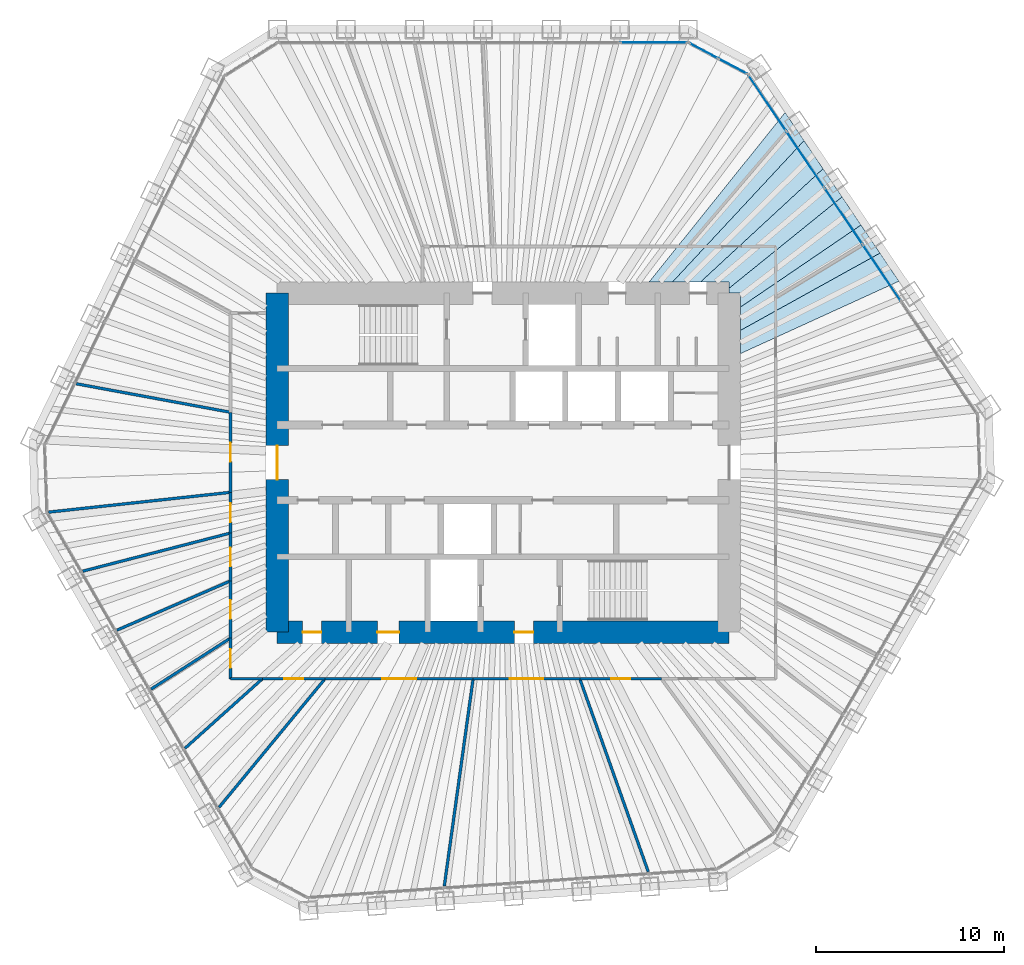
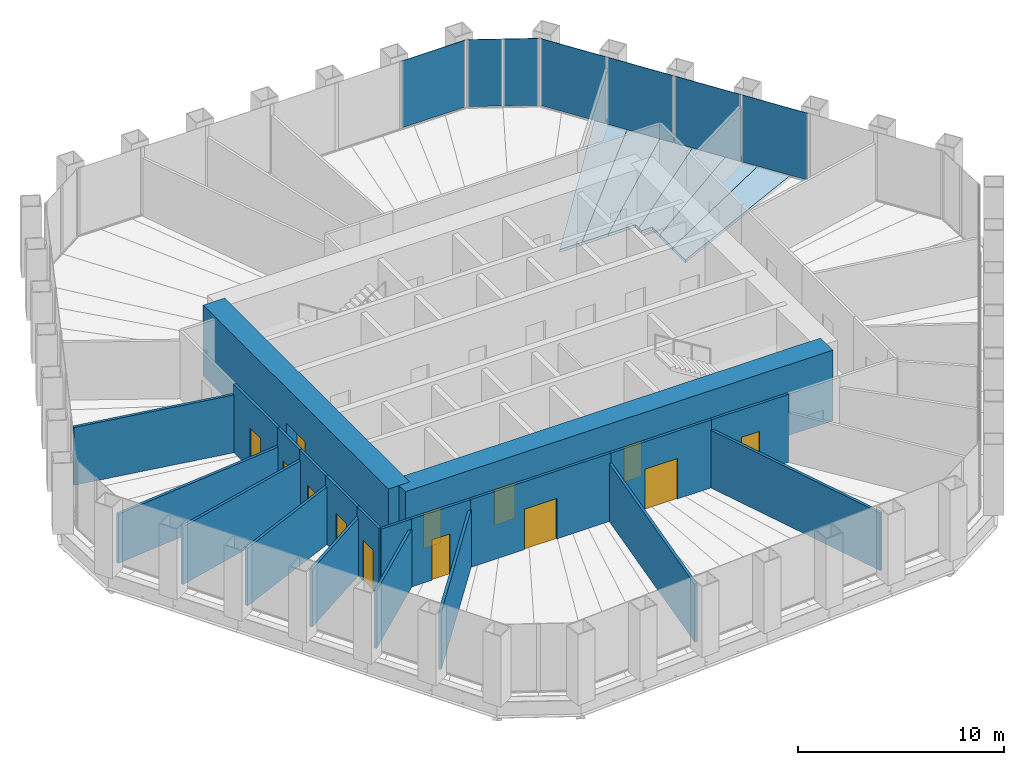
# One storey, part 10 of 14: 21 walls, 13 doors, 7 plates, 6 slabs, 13 openings, 3 elements without a shape of their own.
"""IFC4 building model written with IfcOpenShell, lengths in metres."""

from ifc_helpers import new_model, si_unit, direction, frame, frame_2d, origin, origin_2d, place, context, subcontext, project, spatial, polyline, rectangle, outline, extrude, material, layer, layer_set, type_object, element, fill, aggregate, save


model = new_model("IFC4")

# Units and contexts
model_context = context("Model", 3, precision=1e-05, world=origin(), true_north=direction((0.0, 1.0)))
body_context = subcontext(model_context, "Body", "Model", "MODEL_VIEW")
ifc_project = project(units=[si_unit("LENGTHUNIT", "METRE"), si_unit("AREAUNIT", "SQUARE_METRE"), si_unit("VOLUMEUNIT", "CUBIC_METRE"), si_unit("PLANEANGLEUNIT", "RADIAN"), si_unit("MASSUNIT", "GRAM", prefix="KILO")], contexts=[model_context])

# Site, building, storey
site_placement = place(None, origin())
site = spatial("IfcSite", under=ifc_project, at=site_placement, CompositionType="ELEMENT")
building_placement = place(site_placement, origin())
building = spatial("IfcBuilding", under=site, at=building_placement, Name="Qingtian Harvest Tower", CompositionType="ELEMENT")
storey_placement = place(building_placement, frame((0.0, 0.0, 239.199951171875)))
storey = spatial("IfcBuildingStorey", under=building, at=storey_placement, Name="L52", CompositionType="ELEMENT", Elevation=239.199951171875)

# Slabs
ifc_material_1 = material(Name="Concrete fc' 35 MPa", Category="concrete")
ifc_layer_1 = layer(ifc_material_1, 0.169921875)
ifc_layer_set_1 = layer_set([ifc_layer_1], Name="Composite floor slab FS17 170")
slab_type = type_object("IfcSlabType", Name="Composite floor slab FS17 170", PredefinedType="FLOOR", material=ifc_layer_set_1)
slab_1_placement = place(storey_placement, frame((0.0, 0.0, -0.169921875)))
element("IfcSlab", 1, at=slab_1_placement, inside=storey, type_object=slab_type, Name="Floor slab L52 panel D45", PredefinedType="FLOOR", context=body_context, shape_type="SweptSolid", body=[
    extrude(outline(polyline([(12.60009765625, 7.023681640625), (20.003662109375, 11.125244140625), (21.010986328125, 9.6318359375), (12.60009765625, 5.7900390625), (12.60009765625, 7.023681640625)])), origin(), (0.0, 0.0, 1.0), 0.169921875),
])
slab_2_placement = place(storey_placement, frame((0.0, 0.0, -0.169921875)))
element("IfcSlab", 2, at=slab_2_placement, inside=storey, type_object=slab_type, Name="Floor slab L52 panel D46", PredefinedType="FLOOR", context=body_context, shape_type="SweptSolid", body=[
    extrude(outline(polyline([(12.60009765625, 8.260498046875), (18.997802734375, 12.61669921875), (20.003662109375, 11.125244140625), (12.60009765625, 7.023681640625), (12.60009765625, 8.260498046875)])), origin(), (0.0, 0.0, 1.0), 0.169921875),
])
slab_3_placement = place(storey_placement, frame((0.0, 0.0, -0.169921875)))
element("IfcSlab", 3, at=slab_3_placement, inside=storey, type_object=slab_type, Name="Floor slab L52 panel D47", PredefinedType="FLOOR", context=body_context, shape_type="SweptSolid", body=[
    extrude(outline(polyline([(12.60009765625, 9.0), (12.0, 9.0), (12.0, 9.2666015625), (17.99072265625, 14.109375), (18.997802734375, 12.61669921875), (12.60009765625, 8.260498046875), (12.60009765625, 9.0)])), origin(), (0.0, 0.0, 1.0), 0.169921875),
])
slab_4_placement = place(storey_placement, frame((0.0, 0.0, -0.169921875)))
element("IfcSlab", 4, at=slab_4_placement, inside=storey, type_object=slab_type, Name="Floor slab L52 panel D48", PredefinedType="FLOOR", context=body_context, shape_type="SweptSolid", body=[
    extrude(outline(polyline([(12.0, 9.60009765625), (10.48583984375, 9.60009765625), (16.982177734375, 15.604736328125), (17.99072265625, 14.109375), (12.0, 9.2666015625), (12.0, 9.60009765625)])), origin(), (0.0, 0.0, 1.0), 0.169921875),
])
slab_5_placement = place(storey_placement, frame((0.0, 0.0, -0.169921875)))
element("IfcSlab", 5, at=slab_5_placement, inside=storey, type_object=slab_type, Name="Floor slab L52 panel D49", PredefinedType="FLOOR", context=body_context, shape_type="SweptSolid", body=[
    extrude(outline(polyline([(8.998291015625, 9.60009765625), (15.974853515625, 17.098388671875), (16.982177734375, 15.604736328125), (10.48583984375, 9.60009765625), (8.998291015625, 9.60009765625)])), origin(), (0.0, 0.0, 1.0), 0.169921875),
])
slab_6_placement = place(storey_placement, frame((0.0, 0.0, -0.169921875)))
element("IfcSlab", 6, at=slab_6_placement, inside=storey, type_object=slab_type, Name="Floor slab L52 panel D50", PredefinedType="FLOOR", context=body_context, shape_type="SweptSolid", body=[
    extrude(outline(polyline([(7.751220703125, 9.60009765625), (14.967529296875, 18.591796875), (15.974853515625, 17.098388671875), (8.998291015625, 9.60009765625), (7.751220703125, 9.60009765625)])), origin(), (0.0, 0.0, 1.0), 0.169921875),
])

# Curtain wall, plate
ifc_material_2 = material(Name="Bronze-anodised aluminium curtain wall", Category="aluminium")
curtain_wall_type = type_object("IfcCurtainWallType", Name="Curtain wall CW4 office", PredefinedType="USERDEFINED", material=ifc_material_2)
curtain_wall_1_placement = place(storey_placement, origin())
curtain_wall_1 = element("IfcCurtainWall", 7, at=curtain_wall_1_placement, inside=storey, type_object=curtain_wall_type, Name="Curtain wall CW4 L52 N0-5", ObjectType="RECESSED CURTAIN WALL", PredefinedType="USERDEFINED")
ifc_material_3 = material(Name="Bronze-tinted laminated insulating glass", Category="glass")
ifc_layer_2 = layer(ifc_material_3, 0.030029296875)
ifc_layer_set_2 = layer_set([ifc_layer_2], Name="Glazed panel CWP tinted IGU")
plate_type = type_object("IfcPlateType", Name="Glazed panel CWP tinted IGU", PredefinedType="CURTAIN_PANEL", material=ifc_layer_set_2)
plate_1_placement = place(storey_placement, frame((7.996337890625, 22.300048828125, 0.06494140625), z_axis=(0.0, 0.0, 1.0), x_axis=(1.0, 0.0, 0.0)))
plate_1 = element("IfcPlate", 8, at=plate_1_placement, type_object=plate_type, Name="CW4 panel 6.1", PredefinedType="CURTAIN_PANEL", context=body_context, shape_type="SweptSolid", body=[
    extrude(rectangle(XDim=3.5361328125, YDim=0.030029296875, at=origin_2d()), origin(), (0.0, 0.0, 1.0), 3.965087890625),
])
aggregate(curtain_wall_1, [plate_1])

# Curtain wall, plates
curtain_wall_2_placement = place(storey_placement, origin())
curtain_wall_2 = element("IfcCurtainWall", 9, at=curtain_wall_2_placement, inside=storey, type_object=curtain_wall_type, Name="Curtain wall CW4 L52 NC", ObjectType="RECESSED CURTAIN WALL", PredefinedType="USERDEFINED")
plate_2_placement = place(storey_placement, frame((10.634033203125, 21.8720703125, 0.06494140625), z_axis=(0.0, 0.0, 1.0), x_axis=(0.882947592859, -0.469471562786, 0.0)))
plate_2 = element("IfcPlate", 10, at=plate_2_placement, type_object=plate_type, Name="CW4 panel 1.1", PredefinedType="CURTAIN_PANEL", context=body_context, shape_type="SweptSolid", body=[
    extrude(rectangle(XDim=1.69287109375, YDim=0.030029296875, at=origin_2d()), origin(), (0.0, 0.0, 1.0), 3.965087890625),
])
plate_3_placement = place(storey_placement, frame((12.186279296875, 21.046875, 0.06494140625), z_axis=(0.0, 0.0, 1.0), x_axis=(0.882947592859, -0.469471562786, 0.0)))
plate_3 = element("IfcPlate", 11, at=plate_3_placement, type_object=plate_type, Name="CW4 panel 2.1", PredefinedType="CURTAIN_PANEL", context=body_context, shape_type="SweptSolid", body=[
    extrude(rectangle(XDim=1.69287109375, YDim=0.030029296875, at=origin_2d()), origin(), (0.0, 0.0, 1.0), 3.965087890625),
])
aggregate(curtain_wall_2, [plate_2, plate_3])

curtain_wall_3_placement = place(storey_placement, origin())
curtain_wall_3 = element("IfcCurtainWall", 12, at=curtain_wall_3_placement, inside=storey, type_object=curtain_wall_type, Name="Curtain wall CW4 L52 NE0-5", ObjectType="RECESSED CURTAIN WALL", PredefinedType="USERDEFINED")
plate_4_placement = place(storey_placement, frame((14.01611328125, 19.09912109375, 0.06494140625), z_axis=(0.0, 0.0, 1.0), x_axis=(0.559192903471, -0.829037572555, 0.0)))
plate_4 = element("IfcPlate", 13, at=plate_4_placement, type_object=plate_type, Name="CW4 panel 1.1", PredefinedType="CURTAIN_PANEL", context=body_context, shape_type="SweptSolid", body=[
    extrude(rectangle(XDim=3.5361328125, YDim=0.030029296875, at=origin_2d()), origin(), (0.0, 0.0, 1.0), 3.965087890625),
])
plate_5_placement = place(storey_placement, frame((16.038818359375, 16.100341796875, 0.06494140625), z_axis=(0.0, 0.0, 1.0), x_axis=(0.559192903471, -0.829037572555, 0.0)))
plate_5 = element("IfcPlate", 14, at=plate_5_placement, type_object=plate_type, Name="CW4 panel 2.1", PredefinedType="CURTAIN_PANEL", context=body_context, shape_type="SweptSolid", body=[
    extrude(rectangle(XDim=3.568603515625, YDim=0.030029296875, at=origin_2d()), origin(), (0.0, 0.0, 1.0), 3.965087890625),
])
plate_6_placement = place(storey_placement, frame((18.07080078125, 13.087890625, 0.06494140625), z_axis=(0.0, 0.0, 1.0), x_axis=(0.559192903471, -0.829037572555, 0.0)))
plate_6 = element("IfcPlate", 15, at=plate_6_placement, type_object=plate_type, Name="CW4 panel 3.1", PredefinedType="CURTAIN_PANEL", context=body_context, shape_type="SweptSolid", body=[
    extrude(rectangle(XDim=3.568603515625, YDim=0.030029296875, at=origin_2d()), origin(), (0.0, 0.0, 1.0), 3.965087890625),
])
plate_7_placement = place(storey_placement, frame((20.1025390625, 10.07568359375, 0.06494140625), z_axis=(0.0, 0.0, 1.0), x_axis=(0.559192903471, -0.829037572555, 0.0)))
plate_7 = element("IfcPlate", 16, at=plate_7_placement, type_object=plate_type, Name="CW4 panel 4.1", PredefinedType="CURTAIN_PANEL", context=body_context, shape_type="SweptSolid", body=[
    extrude(rectangle(XDim=3.568603515625, YDim=0.030029296875, at=origin_2d()), origin(), (0.0, 0.0, 1.0), 3.965087890625),
])
aggregate(curtain_wall_3, [plate_4, plate_5, plate_6, plate_7])

# Wall, openings, doors
ifc_material_4 = material(Name="Concrete fc' 70 MPa", Category="concrete")
ifc_layer_3 = layer(ifc_material_4, 1.199951171875)
ifc_layer_set_3 = layer_set([ifc_layer_3], Name="Core wall RC2 1200")
wall_type_1 = type_object("IfcWallType", Name="Core wall RC2 1200", PredefinedType="SHEAR", material=ifc_layer_set_3)
wall_1_placement = place(storey_placement, frame((-12.0, -9.0, 0.0), z_axis=(0.0, 0.0, 1.0), x_axis=(1.0, 0.0, 0.0)))
wall_1 = element("IfcWall", 17, at=wall_1_placement, inside=storey, type_object=wall_type_1, Name="Core wall CS L52", PredefinedType="SHEAR", context=body_context, shape_type="SweptSolid", body=[
    extrude(rectangle(XDim=24.0, YDim=1.199951171875, at=frame_2d((12.0, 0.0))), origin(), (0.0, 0.0, 1.0), 4.199951171875),
])
opening_1_placement = place(wall_1_placement, frame((1.35009765625, 0.0, 0.0)))
opening_1 = element("IfcOpeningElement", 18, at=opening_1_placement, cuts=wall_1, Name="Opening FD1", PredefinedType="OPENING", context=body_context, shape_type="SweptSolid", body=[
    extrude(rectangle(XDim=1.0, YDim=2.10009765625, at=frame_2d((0.5, 1.050048828125))), frame((0.0, 0.60986328125, 0.0), z_axis=(0.0, -1.0, 0.0), x_axis=(1.0, 0.0, 0.0)), (0.0, 0.0, 1.0), 1.219970703125),
])
opening_2_placement = place(wall_1_placement, frame((5.324951171875, 0.0, 0.0)))
opening_2 = element("IfcOpeningElement", 19, at=opening_2_placement, cuts=wall_1, Name="Opening AD1", PredefinedType="OPENING", context=body_context, shape_type="SweptSolid", body=[
    extrude(rectangle(XDim=1.14990234375, YDim=2.10009765625, at=frame_2d((0.574951171875, 1.050048828125))), frame((0.0, 0.60986328125, 0.0), z_axis=(0.0, -1.0, 0.0), x_axis=(1.0, 0.0, 0.0)), (0.0, 0.0, 1.0), 1.219970703125),
])
opening_3_placement = place(wall_1_placement, frame((12.60009765625, 0.0, 0.0)))
opening_3 = element("IfcOpeningElement", 20, at=opening_3_placement, cuts=wall_1, Name="Opening FD1", PredefinedType="OPENING", context=body_context, shape_type="SweptSolid", body=[
    extrude(rectangle(XDim=1.0, YDim=2.10009765625, at=frame_2d((0.5, 1.050048828125))), frame((0.0, 0.60986328125, 0.0), z_axis=(0.0, -1.0, 0.0), x_axis=(1.0, 0.0, 0.0)), (0.0, 0.0, 1.0), 1.219970703125),
])
ifc_material_5 = material(Name="Laminated timber door leaf", Category="wood")
door_type_1 = type_object("IfcDoorType", Name="Accessible WC door AD1 single", OperationType="SINGLE_SWING_LEFT", PredefinedType="DOOR", material=ifc_material_5)
door_1_placement = place(opening_2_placement, origin())
door_1 = element("IfcDoor", 21, at=door_1_placement, inside=storey, type_object=door_type_1, Name="AWC door L52", OperationType="SINGLE_SWING_LEFT", OverallHeight=2.10009765625, OverallWidth=1.14990234375, PredefinedType="DOOR", context=body_context, shape_type="SweptSolid", body=[
    extrude(rectangle(XDim=1.14990234375, YDim=2.10009765625, at=frame_2d((0.574951171875, 1.050048828125))), frame((0.0, 0.02490234375, 0.0), z_axis=(0.0, -1.0, 0.0), x_axis=(1.0, 0.0, 0.0)), (0.0, 0.0, 1.0), 0.050048828125),
])
fill(opening_2, door_1)
ifc_material_6 = material(Name="Steel-faced door leaf", Category="steel")
door_type_2 = type_object("IfcDoorType", Name="Fire door FD1 single 1 HR", OperationType="SINGLE_SWING_LEFT", PredefinedType="DOOR", material=ifc_material_6)
door_2_placement = place(opening_1_placement, origin())
door_2 = element("IfcDoor", 22, at=door_2_placement, inside=storey, type_object=door_type_2, Name="CLN door L52", OperationType="SINGLE_SWING_LEFT", OverallHeight=2.10009765625, OverallWidth=1.0, PredefinedType="DOOR", context=body_context, shape_type="SweptSolid", body=[
    extrude(rectangle(XDim=1.0, YDim=2.10009765625, at=frame_2d((0.5, 1.050048828125))), frame((0.0, 0.02490234375, 0.0), z_axis=(0.0, -1.0, 0.0), x_axis=(1.0, 0.0, 0.0)), (0.0, 0.0, 1.0), 0.050048828125),
])
fill(opening_1, door_2)
door_3_placement = place(opening_3_placement, origin())
door_3 = element("IfcDoor", 23, at=door_3_placement, inside=storey, type_object=door_type_2, Name="V2 door L52", OperationType="SINGLE_SWING_RIGHT", OverallHeight=2.10009765625, OverallWidth=1.0, PredefinedType="DOOR", context=body_context, shape_type="SweptSolid", body=[
    extrude(rectangle(XDim=1.0, YDim=2.10009765625, at=frame_2d((0.5, 1.050048828125))), frame((0.0, 0.02490234375, 0.0), z_axis=(0.0, -1.0, 0.0), x_axis=(1.0, 0.0, 0.0)), (0.0, 0.0, 1.0), 0.050048828125),
])
fill(opening_3, door_3)

# Wall, opening, door
wall_2_placement = place(storey_placement, frame((-12.0, -9.0, 0.0), z_axis=(0.0, 0.0, 1.0), x_axis=(0.0, 1.0, 0.0)))
wall_2 = element("IfcWall", 24, at=wall_2_placement, inside=storey, type_object=wall_type_1, Name="Core wall CW L52", PredefinedType="SHEAR", context=body_context, shape_type="SweptSolid", body=[
    extrude(rectangle(XDim=18.0, YDim=1.199951171875, at=frame_2d((9.0, 0.0))), origin(), (0.0, 0.0, 1.0), 4.199951171875),
])
opening_4_placement = place(wall_2_placement, frame((8.10009765625, 0.0, 0.0)))
opening_4 = element("IfcOpeningElement", 25, at=opening_4_placement, cuts=wall_2, Name="Opening FD2", PredefinedType="OPENING", context=body_context, shape_type="SweptSolid", body=[
    extrude(rectangle(XDim=1.800048828125, YDim=2.10009765625, at=frame_2d((0.89990234375, 1.050048828125))), frame((0.0, 0.60986328125, 0.0), z_axis=(0.0, -1.0, 0.0), x_axis=(1.0, 0.0, 0.0)), (0.0, 0.0, 1.0), 1.219970703125),
])
ifc_material_7 = material(Name="Steel-faced door leaf", Category="steel")
door_type_3 = type_object("IfcDoorType", Name="Fire door FD2 double 1 HR", OperationType="DOUBLE_DOOR_DOUBLE_SWING", PredefinedType="DOOR", material=ifc_material_7)
door_4_placement = place(opening_4_placement, origin())
door_4 = element("IfcDoor", 26, at=door_4_placement, inside=storey, type_object=door_type_3, Name="LOBBY-W door L52", OperationType="DOUBLE_DOOR_DOUBLE_SWING", OverallHeight=2.10009765625, OverallWidth=1.800048828125, PredefinedType="DOOR", context=body_context, shape_type="SweptSolid", body=[
    extrude(rectangle(XDim=1.800048828125, YDim=2.10009765625, at=frame_2d((0.89990234375, 1.050048828125))), frame((0.0, 0.02490234375, 0.0), z_axis=(0.0, -1.0, 0.0), x_axis=(1.0, 0.0, 0.0)), (0.0, 0.0, 1.0), 0.050048828125),
])
fill(opening_4, door_4)

# Wall
ifc_material_8 = material(Name="Gypsum board on steel studs", Category="steel")
ifc_layer_4 = layer(ifc_material_8, 0.14990234375)
ifc_layer_set_4 = layer_set([ifc_layer_4], Name="Partition PT1 150")
wall_type_2 = type_object("IfcWallType", Name="Partition PT1 150", PredefinedType="PARTITIONING", material=ifc_layer_set_4)
wall_3_placement = place(storey_placement, frame((-15.07958984375, -18.294189453125, 0.0), z_axis=(0.0, 0.0, 1.0), x_axis=(0.636052894953, 0.771645459277, 0.0)))
element("IfcWall", 27, at=wall_3_placement, inside=storey, type_object=wall_type_2, Name="Private office wall L52", PredefinedType="PARTITIONING", context=body_context, shape_type="SweptSolid", body=[
    extrude(rectangle(XDim=8.837158203125, YDim=0.14990234375, at=frame_2d((4.41845703125, 0.0))), origin(), (0.0, 0.0, 1.0), 3.429931640625),
])

# Wall, opening, door
wall_4_placement = place(storey_placement, frame((-9.458740234375, -11.47509765625, 0.0), z_axis=(0.0, 0.0, 1.0), x_axis=(-1.0, 0.0, 0.0)))
wall_4 = element("IfcWall", 28, at=wall_4_placement, inside=storey, type_object=wall_type_2, Name="Private office wall L52", PredefinedType="PARTITIONING", context=body_context, shape_type="SweptSolid", body=[
    extrude(rectangle(XDim=3.32421875, YDim=0.14990234375, at=frame_2d((1.662109375, 0.0))), origin(), (0.0, 0.0, 1.0), 4.030029296875),
])
opening_5_placement = place(wall_4_placement, frame((1.162109375, 0.0, 0.0)))
opening_5 = element("IfcOpeningElement", 29, at=opening_5_placement, cuts=wall_4, Name="Opening D2", PredefinedType="OPENING", context=body_context, shape_type="SweptSolid", body=[
    extrude(rectangle(XDim=1.0, YDim=2.39990234375, at=frame_2d((0.5, 1.199951171875))), frame((0.0, 0.0849609375, 0.0), z_axis=(0.0, -1.0, 0.0), x_axis=(1.0, 0.0, 0.0)), (0.0, 0.0, 1.0), 0.169921875),
])
ifc_material_9 = material(Name="Laminated timber door leaf", Category="wood")
door_type_4 = type_object("IfcDoorType", Name="Room door D2 single", OperationType="SINGLE_SWING_LEFT", PredefinedType="DOOR", material=ifc_material_9)
door_5_placement = place(opening_5_placement, origin())
door_5 = element("IfcDoor", 30, at=door_5_placement, inside=storey, type_object=door_type_4, Name="Private office door L52", OperationType="SINGLE_SWING_LEFT", OverallHeight=2.39990234375, OverallWidth=1.0, PredefinedType="DOOR", context=body_context, shape_type="SweptSolid", body=[
    extrude(rectangle(XDim=1.0, YDim=2.39990234375, at=frame_2d((0.5, 1.199951171875))), frame((0.0, 0.02490234375, 0.0), z_axis=(0.0, -1.0, 0.0), x_axis=(1.0, 0.0, 0.0)), (0.0, 0.0, 1.0), 0.050048828125),
])
fill(opening_5, door_5)

# Walls
wall_5_placement = place(storey_placement, frame((-16.885498046875, -15.15771484375, 0.0), z_axis=(0.0, 0.0, 1.0), x_axis=(0.744165513773, 0.667995275515, 0.0)))
element("IfcWall", 31, at=wall_5_placement, inside=storey, type_object=wall_type_2, Name="Private office wall L52", PredefinedType="PARTITIONING", context=body_context, shape_type="SweptSolid", body=[
    extrude(rectangle(XDim=5.512939453125, YDim=0.14990234375, at=frame_2d((2.75634765625, 0.0))), origin(), (0.0, 0.0, 1.0), 3.429931640625),
])
wall_6_placement = place(storey_placement, frame((-12.782958984375, -11.47509765625, 0.0), z_axis=(0.0, 0.0, 1.0), x_axis=(-1.0, 0.0, 0.0)))
element("IfcWall", 32, at=wall_6_placement, inside=storey, type_object=wall_type_2, Name="Private office wall L52", PredefinedType="PARTITIONING", context=body_context, shape_type="SweptSolid", body=[
    extrude(rectangle(XDim=1.692138671875, YDim=0.14990234375, at=frame_2d((0.84619140625, 0.0))), origin(), (0.0, 0.0, 1.0), 4.030029296875),
])

# Wall, opening, door
wall_7_placement = place(storey_placement, frame((-14.47509765625, -11.47509765625, 0.0), z_axis=(0.0, 0.0, 1.0), x_axis=(0.0, 1.0, 0.0)))
wall_7 = element("IfcWall", 33, at=wall_7_placement, inside=storey, type_object=wall_type_2, Name="Private office wall L52", PredefinedType="PARTITIONING", context=body_context, shape_type="SweptSolid", body=[
    extrude(rectangle(XDim=2.164306640625, YDim=0.14990234375, at=frame_2d((1.08203125, 0.0))), origin(), (0.0, 0.0, 1.0), 4.030029296875),
])
opening_6_placement = place(wall_7_placement, frame((0.58203125, 0.0, 0.0)))
opening_6 = element("IfcOpeningElement", 34, at=opening_6_placement, cuts=wall_7, Name="Opening D2", PredefinedType="OPENING", context=body_context, shape_type="SweptSolid", body=[
    extrude(rectangle(XDim=1.0, YDim=2.39990234375, at=frame_2d((0.5, 1.199951171875))), frame((0.0, 0.0849609375, 0.0), z_axis=(0.0, -1.0, 0.0), x_axis=(1.0, 0.0, 0.0)), (0.0, 0.0, 1.0), 0.169921875),
])
door_6_placement = place(opening_6_placement, origin())
door_6 = element("IfcDoor", 35, at=door_6_placement, inside=storey, type_object=door_type_4, Name="Private office door L52", OperationType="SINGLE_SWING_RIGHT", OverallHeight=2.39990234375, OverallWidth=1.0, PredefinedType="DOOR", context=body_context, shape_type="SweptSolid", body=[
    extrude(rectangle(XDim=1.0, YDim=2.39990234375, at=frame_2d((0.5, 1.199951171875))), frame((0.0, 0.02490234375, 0.0), z_axis=(0.0, -1.0, 0.0), x_axis=(1.0, 0.0, 0.0)), (0.0, 0.0, 1.0), 0.050048828125),
])
fill(opening_6, door_6)

# Wall
wall_8_placement = place(storey_placement, frame((-18.692626953125, -12.023681640625, 0.0), z_axis=(0.0, 0.0, 1.0), x_axis=(0.841031335058, 0.540986407824, 0.0)))
element("IfcWall", 36, at=wall_8_placement, inside=storey, type_object=wall_type_2, Name="Private office wall L52", PredefinedType="PARTITIONING", context=body_context, shape_type="SweptSolid", body=[
    extrude(rectangle(XDim=5.0146484375, YDim=0.14990234375, at=frame_2d((2.50732421875, 0.0))), origin(), (0.0, 0.0, 1.0), 3.429931640625),
])

# Wall, opening, door
wall_9_placement = place(storey_placement, frame((-14.47509765625, -9.310791015625, 0.0), z_axis=(0.0, 0.0, 1.0), x_axis=(0.0, 1.0, 0.0)))
wall_9 = element("IfcWall", 37, at=wall_9_placement, inside=storey, type_object=wall_type_2, Name="Private office wall L52", PredefinedType="PARTITIONING", context=body_context, shape_type="SweptSolid", body=[
    extrude(rectangle(XDim=3.033203125, YDim=0.14990234375, at=frame_2d((1.5166015625, 0.0))), origin(), (0.0, 0.0, 1.0), 4.030029296875),
])
opening_7_placement = place(wall_9_placement, frame((1.0166015625, 0.0, 0.0)))
opening_7 = element("IfcOpeningElement", 38, at=opening_7_placement, cuts=wall_9, Name="Opening D2", PredefinedType="OPENING", context=body_context, shape_type="SweptSolid", body=[
    extrude(rectangle(XDim=1.0, YDim=2.39990234375, at=frame_2d((0.5, 1.199951171875))), frame((0.0, 0.0849609375, 0.0), z_axis=(0.0, -1.0, 0.0), x_axis=(1.0, 0.0, 0.0)), (0.0, 0.0, 1.0), 0.169921875),
])
door_7_placement = place(opening_7_placement, origin())
door_7 = element("IfcDoor", 39, at=door_7_placement, inside=storey, type_object=door_type_4, Name="Private office door L52", OperationType="SINGLE_SWING_RIGHT", OverallHeight=2.39990234375, OverallWidth=1.0, PredefinedType="DOOR", context=body_context, shape_type="SweptSolid", body=[
    extrude(rectangle(XDim=1.0, YDim=2.39990234375, at=frame_2d((0.5, 1.199951171875))), frame((0.0, 0.02490234375, 0.0), z_axis=(0.0, -1.0, 0.0), x_axis=(1.0, 0.0, 0.0)), (0.0, 0.0, 1.0), 0.050048828125),
])
fill(opening_7, door_7)

# Wall
wall_10_placement = place(storey_placement, frame((-20.501708984375, -8.891357421875, 0.0), z_axis=(0.0, 0.0, 1.0), x_axis=(0.917431289744, 0.397894242982, 0.0)))
element("IfcWall", 40, at=wall_10_placement, inside=storey, type_object=wall_type_2, Name="Private office wall L52", PredefinedType="PARTITIONING", context=body_context, shape_type="SweptSolid", body=[
    extrude(rectangle(XDim=6.569091796875, YDim=0.14990234375, at=frame_2d((3.28466796875, 0.0))), origin(), (0.0, 0.0, 1.0), 3.429931640625),
])

# Wall, opening, door
wall_11_placement = place(storey_placement, frame((-14.47509765625, -6.277587890625, 0.0), z_axis=(0.0, 0.0, 1.0), x_axis=(0.0, 1.0, 0.0)))
wall_11 = element("IfcWall", 41, at=wall_11_placement, inside=storey, type_object=wall_type_2, Name="Private office wall L52", PredefinedType="PARTITIONING", context=body_context, shape_type="SweptSolid", body=[
    extrude(rectangle(XDim=2.54150390625, YDim=0.14990234375, at=frame_2d((1.270751953125, 0.0))), origin(), (0.0, 0.0, 1.0), 4.030029296875),
])
opening_8_placement = place(wall_11_placement, frame((0.770751953125, 0.0, 0.0)))
opening_8 = element("IfcOpeningElement", 42, at=opening_8_placement, cuts=wall_11, Name="Opening D2", PredefinedType="OPENING", context=body_context, shape_type="SweptSolid", body=[
    extrude(rectangle(XDim=1.0, YDim=2.39990234375, at=frame_2d((0.5, 1.199951171875))), frame((0.0, 0.0849609375, 0.0), z_axis=(0.0, -1.0, 0.0), x_axis=(1.0, 0.0, 0.0)), (0.0, 0.0, 1.0), 0.169921875),
])
door_8_placement = place(opening_8_placement, origin())
door_8 = element("IfcDoor", 43, at=door_8_placement, inside=storey, type_object=door_type_4, Name="Private office door L52", OperationType="SINGLE_SWING_RIGHT", OverallHeight=2.39990234375, OverallWidth=1.0, PredefinedType="DOOR", context=body_context, shape_type="SweptSolid", body=[
    extrude(rectangle(XDim=1.0, YDim=2.39990234375, at=frame_2d((0.5, 1.199951171875))), frame((0.0, 0.02490234375, 0.0), z_axis=(0.0, -1.0, 0.0), x_axis=(1.0, 0.0, 0.0)), (0.0, 0.0, 1.0), 0.050048828125),
])
fill(opening_8, door_8)

# Wall
wall_12_placement = place(storey_placement, frame((-22.3134765625, -5.75927734375, 0.0), z_axis=(0.0, 0.0, 1.0), x_axis=(0.968265788926, 0.249922712042, 0.0)))
element("IfcWall", 44, at=wall_12_placement, inside=storey, type_object=wall_type_2, Name="Private office wall L52", PredefinedType="PARTITIONING", context=body_context, shape_type="SweptSolid", body=[
    extrude(rectangle(XDim=8.09521484375, YDim=0.14990234375, at=frame_2d((4.047607421875, 0.0))), origin(), (0.0, 0.0, 1.0), 3.429931640625),
])

# Wall, opening, door
wall_13_placement = place(storey_placement, frame((-14.47509765625, -3.736083984375, 0.0), z_axis=(0.0, 0.0, 1.0), x_axis=(0.0, 1.0, 0.0)))
wall_13 = element("IfcWall", 45, at=wall_13_placement, inside=storey, type_object=wall_type_2, Name="Private office wall L52", PredefinedType="PARTITIONING", context=body_context, shape_type="SweptSolid", body=[
    extrude(rectangle(XDim=2.16015625, YDim=0.14990234375, at=frame_2d((1.080078125, 0.0))), origin(), (0.0, 0.0, 1.0), 4.030029296875),
])
opening_9_placement = place(wall_13_placement, frame((0.580078125, 0.0, 0.0)))
opening_9 = element("IfcOpeningElement", 46, at=opening_9_placement, cuts=wall_13, Name="Opening D2", PredefinedType="OPENING", context=body_context, shape_type="SweptSolid", body=[
    extrude(rectangle(XDim=1.0, YDim=2.39990234375, at=frame_2d((0.5, 1.199951171875))), frame((0.0, 0.0849609375, 0.0), z_axis=(0.0, -1.0, 0.0), x_axis=(1.0, 0.0, 0.0)), (0.0, 0.0, 1.0), 0.169921875),
])
door_9_placement = place(opening_9_placement, origin())
door_9 = element("IfcDoor", 47, at=door_9_placement, inside=storey, type_object=door_type_4, Name="Private office door L52", OperationType="SINGLE_SWING_RIGHT", OverallHeight=2.39990234375, OverallWidth=1.0, PredefinedType="DOOR", context=body_context, shape_type="SweptSolid", body=[
    extrude(rectangle(XDim=1.0, YDim=2.39990234375, at=frame_2d((0.5, 1.199951171875))), frame((0.0, 0.02490234375, 0.0), z_axis=(0.0, -1.0, 0.0), x_axis=(1.0, 0.0, 0.0)), (0.0, 0.0, 1.0), 0.050048828125),
])
fill(opening_9, door_9)

# Wall
wall_14_placement = place(storey_placement, frame((-24.127685546875, -2.626708984375, 0.0), z_axis=(0.0, 0.0, 1.0), x_axis=(0.994126892449, 0.108220708326, 0.0)))
element("IfcWall", 48, at=wall_14_placement, inside=storey, type_object=wall_type_2, Name="Private office wall L52", PredefinedType="PARTITIONING", context=body_context, shape_type="SweptSolid", body=[
    extrude(rectangle(XDim=9.709716796875, YDim=0.14990234375, at=frame_2d((4.85498046875, 0.0))), origin(), (0.0, 0.0, 1.0), 2.929931640625),
])

# Wall, opening, door
wall_15_placement = place(storey_placement, frame((-14.47509765625, -1.575927734375, 0.0), z_axis=(0.0, 0.0, 1.0), x_axis=(0.0, 1.0, 0.0)))
wall_15 = element("IfcWall", 49, at=wall_15_placement, inside=storey, type_object=wall_type_2, Name="Private office wall L52", PredefinedType="PARTITIONING", context=body_context, shape_type="SweptSolid", body=[
    extrude(rectangle(XDim=4.251708984375, YDim=0.14990234375, at=frame_2d((2.1259765625, 0.0))), origin(), (0.0, 0.0, 1.0), 4.030029296875),
])
opening_10_placement = place(wall_15_placement, frame((1.625732421875, 0.0, 0.0)))
opening_10 = element("IfcOpeningElement", 50, at=opening_10_placement, cuts=wall_15, Name="Opening D2", PredefinedType="OPENING", context=body_context, shape_type="SweptSolid", body=[
    extrude(rectangle(XDim=1.0, YDim=2.39990234375, at=frame_2d((0.5, 1.199951171875))), frame((0.0, 0.0849609375, 0.0), z_axis=(0.0, -1.0, 0.0), x_axis=(1.0, 0.0, 0.0)), (0.0, 0.0, 1.0), 0.169921875),
])
door_10_placement = place(opening_10_placement, origin())
door_10 = element("IfcDoor", 51, at=door_10_placement, inside=storey, type_object=door_type_4, Name="Private office door L52", OperationType="SINGLE_SWING_LEFT", OverallHeight=2.39990234375, OverallWidth=1.0, PredefinedType="DOOR", context=body_context, shape_type="SweptSolid", body=[
    extrude(rectangle(XDim=1.0, YDim=2.39990234375, at=frame_2d((0.5, 1.199951171875))), frame((0.0, 0.02490234375, 0.0), z_axis=(0.0, -1.0, 0.0), x_axis=(1.0, 0.0, 0.0)), (0.0, 0.0, 1.0), 0.050048828125),
])
fill(opening_10, door_10)

# Wall
wall_16_placement = place(storey_placement, frame((-22.660888671875, 4.188720703125, 0.0), z_axis=(0.0, 0.0, 1.0), x_axis=(0.983345347199, -0.181746879316, 0.0)))
element("IfcWall", 52, at=wall_16_placement, inside=storey, type_object=wall_type_2, Name="Meeting room wall L52", PredefinedType="PARTITIONING", context=body_context, shape_type="SweptSolid", body=[
    extrude(rectangle(XDim=8.324462890625, YDim=0.14990234375, at=frame_2d((4.162109375, 0.0))), origin(), (0.0, 0.0, 1.0), 3.429931640625),
])

# Wall, opening, door
wall_17_placement = place(storey_placement, frame((8.402587890625, -11.47509765625, 0.0), z_axis=(0.0, 0.0, 1.0), x_axis=(-1.0, 0.0, 0.0)))
wall_17 = element("IfcWall", 53, at=wall_17_placement, inside=storey, type_object=wall_type_2, Name="Private office wall L52", PredefinedType="PARTITIONING", context=body_context, shape_type="SweptSolid", body=[
    extrude(rectangle(XDim=4.3330078125, YDim=0.14990234375, at=frame_2d((2.16650390625, 0.0))), origin(), (0.0, 0.0, 1.0), 4.030029296875),
])
opening_11_placement = place(wall_17_placement, frame((1.66650390625, 0.0, 0.0)))
opening_11 = element("IfcOpeningElement", 54, at=opening_11_placement, cuts=wall_17, Name="Opening D2", PredefinedType="OPENING", context=body_context, shape_type="SweptSolid", body=[
    extrude(rectangle(XDim=1.0, YDim=2.39990234375, at=frame_2d((0.5, 1.199951171875))), frame((0.0, 0.0849609375, 0.0), z_axis=(0.0, -1.0, 0.0), x_axis=(1.0, 0.0, 0.0)), (0.0, 0.0, 1.0), 0.169921875),
])
door_11_placement = place(opening_11_placement, origin())
door_11 = element("IfcDoor", 55, at=door_11_placement, inside=storey, type_object=door_type_4, Name="Private office door L52", OperationType="SINGLE_SWING_LEFT", OverallHeight=2.39990234375, OverallWidth=1.0, PredefinedType="DOOR", context=body_context, shape_type="SweptSolid", body=[
    extrude(rectangle(XDim=1.0, YDim=2.39990234375, at=frame_2d((0.5, 1.199951171875))), frame((0.0, 0.02490234375, 0.0), z_axis=(0.0, -1.0, 0.0), x_axis=(1.0, 0.0, 0.0)), (0.0, 0.0, 1.0), 0.050048828125),
])
fill(opening_11, door_11)

# Wall
wall_18_placement = place(storey_placement, frame((7.702880859375, -21.71923828125, 0.0), z_axis=(0.0, 0.0, 1.0), x_axis=(-0.334269551553, 0.942477515331, 0.0)))
element("IfcWall", 56, at=wall_18_placement, inside=storey, type_object=wall_type_2, Name="Training room wall L52", PredefinedType="PARTITIONING", context=body_context, shape_type="SweptSolid", body=[
    extrude(rectangle(XDim=10.869384765625, YDim=0.14990234375, at=frame_2d((5.4345703125, 0.0))), origin(), (0.0, 0.0, 1.0), 3.429931640625),
])

# Wall, opening, door
wall_19_placement = place(storey_placement, frame((4.069580078125, -11.47509765625, 0.0), z_axis=(0.0, 0.0, 1.0), x_axis=(-1.0, 0.0, 0.0)))
wall_19 = element("IfcWall", 57, at=wall_19_placement, inside=storey, type_object=wall_type_2, Name="Training room wall L52", PredefinedType="PARTITIONING", context=body_context, shape_type="SweptSolid", body=[
    extrude(rectangle(XDim=5.66455078125, YDim=0.14990234375, at=frame_2d((2.832275390625, 0.0))), origin(), (0.0, 0.0, 1.0), 4.030029296875),
])
opening_12_placement = place(wall_19_placement, frame((1.932373046875, 0.0, 0.0)))
opening_12 = element("IfcOpeningElement", 58, at=opening_12_placement, cuts=wall_19, Name="Opening D3", PredefinedType="OPENING", context=body_context, shape_type="SweptSolid", body=[
    extrude(rectangle(XDim=1.800048828125, YDim=2.39990234375, at=frame_2d((0.89990234375, 1.199951171875))), frame((0.0, 0.0849609375, 0.0), z_axis=(0.0, -1.0, 0.0), x_axis=(1.0, 0.0, 0.0)), (0.0, 0.0, 1.0), 0.169921875),
])
ifc_material_10 = material(Name="Laminated timber door leaf", Category="wood")
door_type_5 = type_object("IfcDoorType", Name="Room door D3 double", OperationType="DOUBLE_DOOR_DOUBLE_SWING", PredefinedType="DOOR", material=ifc_material_10)
door_12_placement = place(opening_12_placement, origin())
door_12 = element("IfcDoor", 59, at=door_12_placement, inside=storey, type_object=door_type_5, Name="Training room door L52", OperationType="DOUBLE_DOOR_DOUBLE_SWING", OverallHeight=2.39990234375, OverallWidth=1.800048828125, PredefinedType="DOOR", context=body_context, shape_type="SweptSolid", body=[
    extrude(rectangle(XDim=1.800048828125, YDim=2.39990234375, at=frame_2d((0.89990234375, 1.199951171875))), frame((0.0, 0.02490234375, 0.0), z_axis=(0.0, -1.0, 0.0), x_axis=(1.0, 0.0, 0.0)), (0.0, 0.0, 1.0), 0.050048828125),
])
fill(opening_12, door_12)

# Wall
wall_20_placement = place(storey_placement, frame((-3.1240234375, -22.474853515625, 0.0), z_axis=(0.0, 0.0, 1.0), x_axis=(0.137683997015, 0.990476207168, 0.0)))
element("IfcWall", 60, at=wall_20_placement, inside=storey, type_object=wall_type_2, Name="Workplace zone wall L52", PredefinedType="PARTITIONING", context=body_context, shape_type="SweptSolid", body=[
    extrude(rectangle(XDim=11.10546875, YDim=0.14990234375, at=frame_2d((5.552734375, 0.0))), origin(), (0.0, 0.0, 1.0), 3.429931640625),
])

# Wall, opening, door
wall_21_placement = place(storey_placement, frame((-1.594970703125, -11.47509765625, 0.0), z_axis=(0.0, 0.0, 1.0), x_axis=(-1.0, 0.0, 0.0)))
wall_21 = element("IfcWall", 61, at=wall_21_placement, inside=storey, type_object=wall_type_2, Name="Workplace zone wall L52", PredefinedType="PARTITIONING", context=body_context, shape_type="SweptSolid", body=[
    extrude(rectangle(XDim=7.86376953125, YDim=0.14990234375, at=frame_2d((3.931884765625, 0.0))), origin(), (0.0, 0.0, 1.0), 4.030029296875),
])
opening_13_placement = place(wall_21_placement, frame((3.03173828125, 0.0, 0.0)))
opening_13 = element("IfcOpeningElement", 62, at=opening_13_placement, cuts=wall_21, Name="Opening D3", PredefinedType="OPENING", context=body_context, shape_type="SweptSolid", body=[
    extrude(rectangle(XDim=1.800048828125, YDim=2.39990234375, at=frame_2d((0.89990234375, 1.199951171875))), frame((0.0, 0.0849609375, 0.0), z_axis=(0.0, -1.0, 0.0), x_axis=(1.0, 0.0, 0.0)), (0.0, 0.0, 1.0), 0.169921875),
])
door_13_placement = place(opening_13_placement, origin())
door_13 = element("IfcDoor", 63, at=door_13_placement, inside=storey, type_object=door_type_5, Name="Workplace zone door L52", OperationType="DOUBLE_DOOR_DOUBLE_SWING", OverallHeight=2.39990234375, OverallWidth=1.800048828125, PredefinedType="DOOR", context=body_context, shape_type="SweptSolid", body=[
    extrude(rectangle(XDim=1.800048828125, YDim=2.39990234375, at=frame_2d((0.89990234375, 1.199951171875))), frame((0.0, 0.02490234375, 0.0), z_axis=(0.0, -1.0, 0.0), x_axis=(1.0, 0.0, 0.0)), (0.0, 0.0, 1.0), 0.050048828125),
])
fill(opening_13, door_13)

save(model, "model.ifc")
